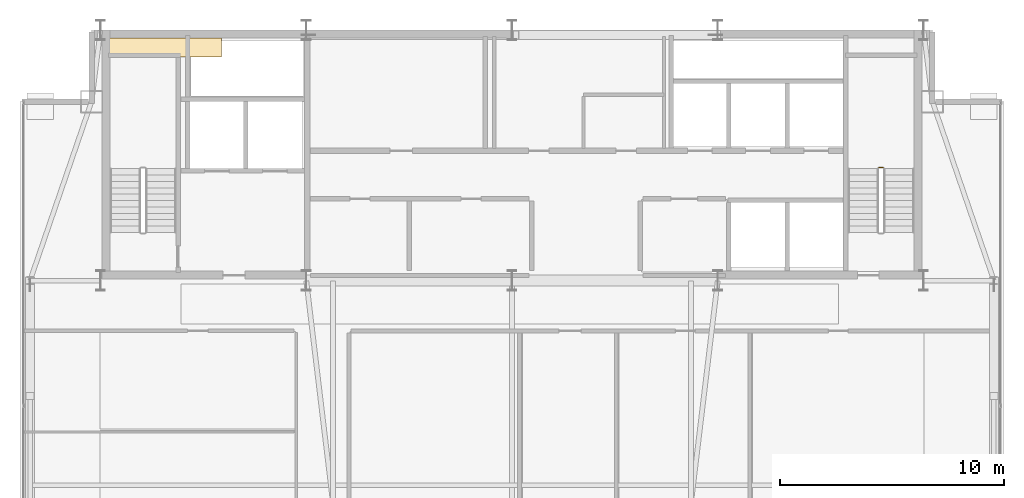
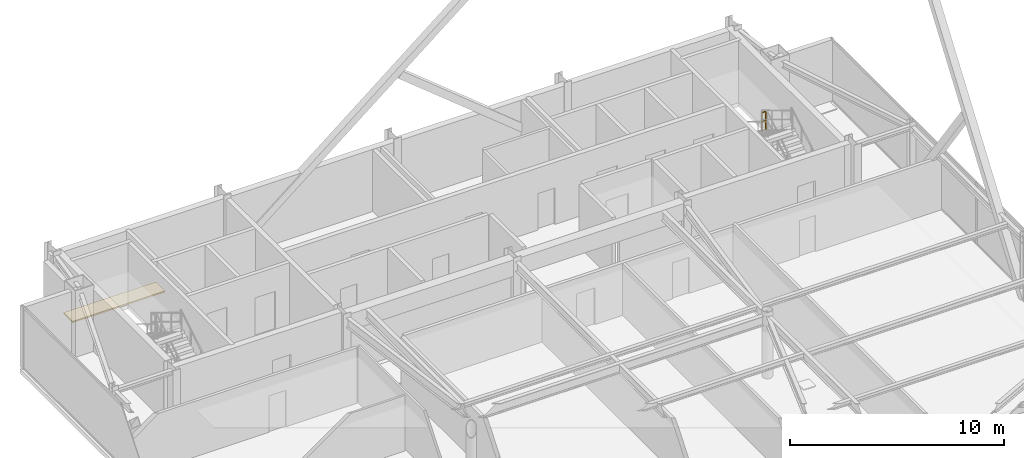
# One storey, part 25 of 25: 1 covering, 1 railing.
"""IFC4 building model written with IfcOpenShell, lengths in metres."""

from ifc_helpers import new_model, si_unit, direction, frame, origin, origin_2d, place, context, subcontext, project, spatial, polyline, rectangle, outline, extrude, material, layer, layer_set, type_object, element, save


model = new_model("IFC4")

# Units and contexts
model_context = context("Model", 3, precision=1e-05, world=origin(), true_north=direction((0.0, 1.0)))
body_context = subcontext(model_context, "Body", "Model", "MODEL_VIEW")
ifc_project = project(units=[si_unit("LENGTHUNIT", "METRE"), si_unit("AREAUNIT", "SQUARE_METRE"), si_unit("VOLUMEUNIT", "CUBIC_METRE"), si_unit("PLANEANGLEUNIT", "RADIAN"), si_unit("MASSUNIT", "GRAM", prefix="KILO")], contexts=[model_context])

# Site, building, storey
site_placement = place(None, origin())
site = spatial("IfcSite", under=ifc_project, at=site_placement, CompositionType="ELEMENT")
building_placement = place(site_placement, origin())
building = spatial("IfcBuilding", under=site, at=building_placement, Name="Varnel Quay Broadcast Tower", CompositionType="ELEMENT")
storey_placement = place(building_placement, frame((0.0, 0.0, 258.39990234375)))
storey = spatial("IfcBuildingStorey", under=building, at=storey_placement, Name="L64", CompositionType="ELEMENT", Elevation=258.39990234375)

# Covering
ifc_material_1 = material(Name="Insulated SBS Modified Bitumen Roof Membrane")
ifc_layer = layer(ifc_material_1, 0.080078125, Name="Insulated SBS Modified Bitumen Roof Membrane")
ifc_layer_set = layer_set([ifc_layer], Name="Insulated SBS Modified Bitumen Roof Membrane")
covering_type = type_object("IfcCoveringType", Name="Cov_RoofMembrane", PredefinedType="ROOFING", material=ifc_layer_set)
covering_placement = place(storey_placement, origin())
element("IfcCovering", 1, at=covering_placement, inside=storey, type_object=covering_type, Name="L64 North Curb Flashing Membrane", PredefinedType="ROOFING", context=body_context, shape_type="SweptSolid", body=[
    extrude(outline(polyline([(16.0, 45.60009765625), (21.0, 45.60009765625), (21.0, 46.449951171875), (16.0, 46.449951171875), (16.0, 45.60009765625)])), origin(), (0.0, 0.0, 1.0), 0.080078125),
])

# Railing
ifc_material_2 = material(Name="Painted Steel Guard and Handrail CSA G40.21 350W", Category="steel")
railing_type = type_object("IfcRailingType", Name="Rail_StairGuard1100", PredefinedType="GUARDRAIL", material=ifc_material_2)
railing_placement = place(storey_placement, frame((50.60009765625, 40.64990234375, 1.900146484375)))
element("IfcRailing", 2, at=railing_placement, inside=storey, type_object=railing_type, Name="L64 ST-02 stair guard 2", PredefinedType="GUARDRAIL", context=body_context, shape_type="SweptSolid", body=[
    extrude(rectangle(XDim=0.048095703125, YDim=0.048095703125, at=origin_2d()), frame((0.0, 0.0, 1.076171875), z_axis=(-1.0, 0.0, 0.0), x_axis=(0.0, -1.0, 0.0)), (0.0, 0.0, 1.0), 0.2001953125),
    extrude(rectangle(XDim=0.048095703125, YDim=0.048095703125, at=origin_2d()), frame((0.0, 0.0, 0.550048828125), z_axis=(-1.0, 0.0, 0.0), x_axis=(0.0, -1.0, 0.0)), (0.0, 0.0, 1.0), 0.2001953125),
    extrude(rectangle(XDim=0.0419921875, YDim=0.0419921875, at=origin_2d()), origin(), (0.0, 0.0, 1.0), 1.052001953125),
    extrude(rectangle(XDim=0.0419921875, YDim=0.0419921875, at=origin_2d()), frame((-0.2001953125, 0.0, 0.0)), (0.0, 0.0, 1.0), 1.052001953125),
])

save(model, "model.ifc")
